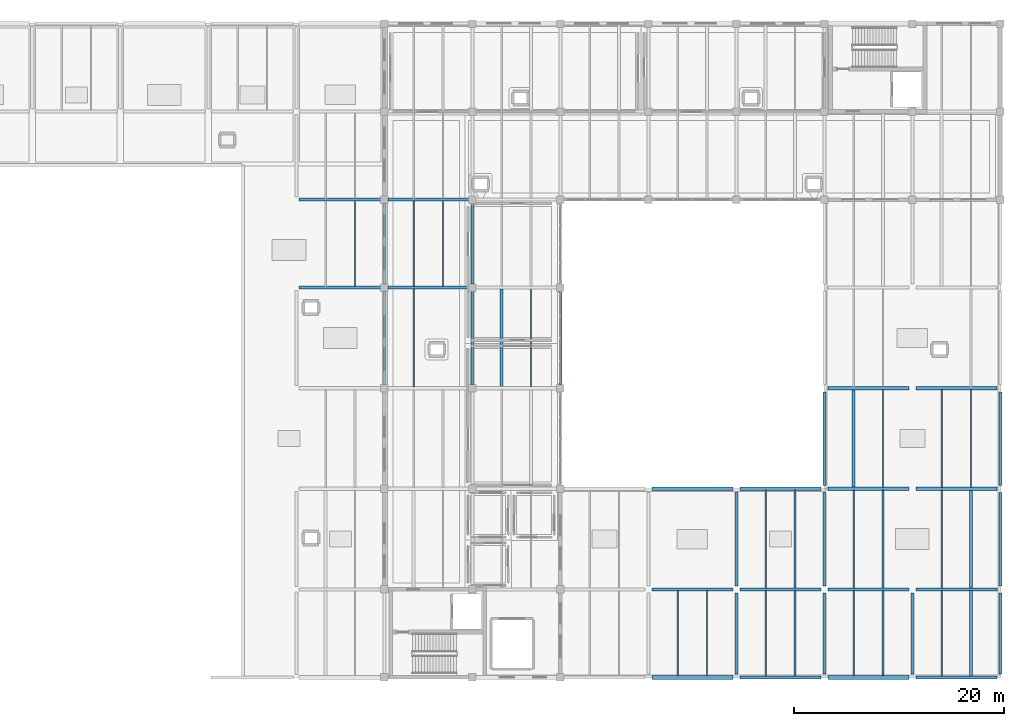
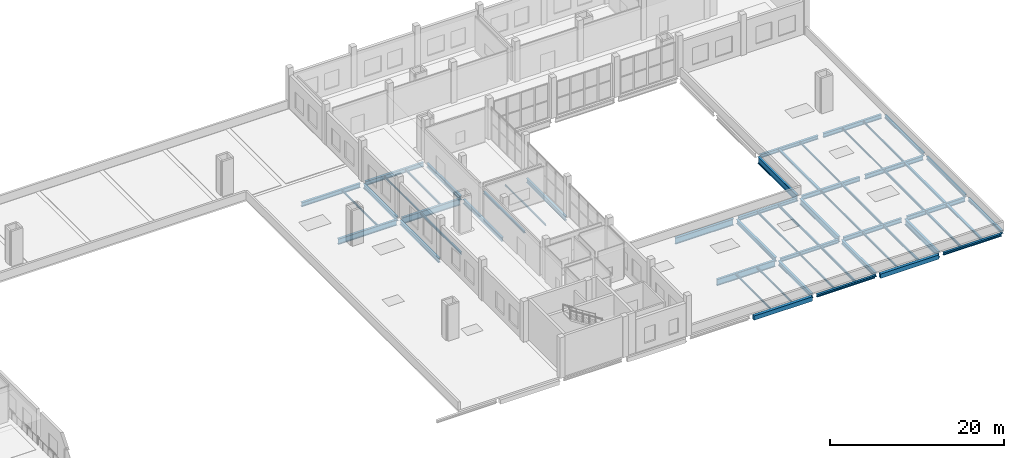
# One storey, part 22 of 49: 56 beams.
"""IFC4 building model written with IfcOpenShell, lengths in metres."""

import ifcopenshell
import ifcopenshell.guid

model = None  # the IFC model being written
_history = None  # IfcOwnerHistory: only IFC2X3 demands one
_inside = {}  # id of a spatial element -> (the spatial element, [elements in it])
_under = {}  # id of a project, library or spatial element -> (it, [spatial elements below it])
_declared = {}  # id of a project -> (the project, [libraries it declares])
_typed = {}  # id of a type object -> (the type object, [elements of that type])
_made_of = {}  # id of a material, layer set ... -> (it, [elements and type objects made of it])


def new_model(schema):
    """Start an empty IFC model of exactly this schema.

    Asked for "IFC4X3", IfcOpenShell would pick the latest addendum, in which some entities
    have other attributes; the version numbers below select the first issue.
    IFC2X3 requires an IfcOwnerHistory on every rooted entity: one is made here for all.
    """
    global model, _history
    if schema == "IFC4X3":
        model = ifcopenshell.file(schema_version=(4, 3, 0, 0))
    else:
        model = ifcopenshell.file(schema=schema)
    _inside.clear()
    _under.clear()
    _declared.clear()
    _typed.clear()
    _made_of.clear()
    _history = None
    if model.schema == "IFC2X3":
        org = make("IfcOrganization", Name="unknown")
        user = make(
            "IfcPersonAndOrganization",
            ThePerson=make("IfcPerson", FamilyName="unknown"),
            TheOrganization=org,
        )
        app = make(
            "IfcApplication",
            ApplicationDeveloper=org,
            Version="unknown",
            ApplicationFullName="unknown",
            ApplicationIdentifier="unknown",
        )
        _history = make(
            "IfcOwnerHistory",
            OwningUser=user,
            OwningApplication=app,
            ChangeAction="ADDED",
            CreationDate=0,
        )
    return model


def make(cls, **values):
    """One entity of the class cls with the attributes given. An attribute that is None is left unset."""
    return model.create_entity(
        cls, **{name: value for name, value in values.items() if value is not None}
    )


def rooted(cls, **values):
    """An entity with a GlobalId (a new one), such as an element, a storey or a relation."""
    return make(cls, GlobalId=ifcopenshell.guid.new(), OwnerHistory=_history, **values)


def si_unit(unit_type, name, prefix=None):
    """IfcSIUnit, for example si_unit("LENGTHUNIT", "METRE", prefix="MILLI")."""
    return make("IfcSIUnit", UnitType=unit_type, Prefix=prefix, Name=name)


def assignment(units):
    """IfcUnitAssignment: the units of a project."""
    return None if units is None else make("IfcUnitAssignment", Units=units)


def point(xyz):
    """IfcCartesianPoint."""
    return None if xyz is None else make("IfcCartesianPoint", Coordinates=xyz)


def direction(xyz):
    """IfcDirection."""
    return None if xyz is None else make("IfcDirection", DirectionRatios=xyz)


def frame(location, z_axis=None, x_axis=None):
    """IfcAxis2Placement3D, a coordinate frame: its origin and axes. An axis left out is left unset."""
    return make(
        "IfcAxis2Placement3D",
        Location=point(location),
        Axis=direction(z_axis),
        RefDirection=direction(x_axis),
    )


def frame_2d(location, x_axis=None):
    """IfcAxis2Placement2D, a coordinate frame in the plane: its origin and x axis."""
    return make(
        "IfcAxis2Placement2D", Location=point(location), RefDirection=direction(x_axis)
    )


def origin():
    """The frame at (0, 0, 0) with its axes left unset."""
    return frame((0.0, 0.0, 0.0))


def origin_2d():
    """The frame at (0, 0) in the plane with its x axis left unset."""
    return frame_2d((0.0, 0.0))


def place(relative_to, where):
    """IfcLocalPlacement: puts the frame where relative to a parent placement (None: the world)."""
    return make(
        "IfcLocalPlacement", PlacementRelTo=relative_to, RelativePlacement=where
    )


def context(
    kind, dimensions, precision=None, world=None, true_north=None, identifier=None
):
    """IfcGeometricRepresentationContext, for example the 3D "Model" context."""
    return make(
        "IfcGeometricRepresentationContext",
        ContextIdentifier=identifier,
        ContextType=kind,
        CoordinateSpaceDimension=dimensions,
        Precision=precision,
        WorldCoordinateSystem=world,
        TrueNorth=true_north,
    )


def subcontext(parent, identifier, kind, view, scale=None):
    """IfcGeometricRepresentationSubContext, for example "Body" below "Model"."""
    return make(
        "IfcGeometricRepresentationSubContext",
        ContextIdentifier=identifier,
        ContextType=kind,
        ParentContext=parent,
        TargetScale=scale,
        TargetView=view,
    )


def project(units=None, contexts=None):
    """IfcProject with its units and contexts."""
    return rooted(
        "IfcProject",
        Name="project",
        RepresentationContexts=contexts,
        UnitsInContext=assignment(units),
    )


def spatial(cls, under=None, at=None, **own):
    """A site, building, storey or space (cls), placed at a placement, below another one or the project."""
    s = rooted(cls, ObjectPlacement=at, **own)
    if under is not None:
        _under.setdefault(under.id(), (under, []))[1].append(s)
    return s


def profile(cls, at=None, kind="AREA", **sizes):
    """A parametric profile (cls). Its sizes go by their IFC names, for example OverallWidth=200.0."""
    return make(cls, ProfileType=kind, Position=at, **sizes)


def rectangle(**sizes):
    """IfcRectangleProfileDef."""
    return profile("IfcRectangleProfileDef", **sizes)


def i_section(**sizes):
    """IfcIShapeProfileDef."""
    return profile("IfcIShapeProfileDef", **sizes)


def extrude(swept, where, along, depth):
    """IfcExtrudedAreaSolid: the profile swept, set in the frame where, extruded along a direction by depth."""
    return make(
        "IfcExtrudedAreaSolid",
        SweptArea=swept,
        Position=where,
        ExtrudedDirection=direction(along),
        Depth=depth,
    )


def shape(context_of_items, identifier, shape_type, items):
    """IfcShapeRepresentation: the items that make up one representation, for example the "Body"."""
    return make(
        "IfcShapeRepresentation",
        ContextOfItems=context_of_items,
        RepresentationIdentifier=identifier,
        RepresentationType=shape_type,
        Items=items,
    )


def material(Name=None, Category=None):
    """IfcMaterial."""
    return make("IfcMaterial", Name=Name, Category=Category)


def material_profile(
    of_material, cross_section, Name=None, Category=None, Priority=None
):
    """IfcMaterialProfile: a cross section and its material."""
    return make(
        "IfcMaterialProfile",
        Name=Name,
        Material=of_material,
        Profile=cross_section,
        Priority=Priority,
        Category=Category,
    )


def profile_set(profiles, Name=None, composite=None):
    """IfcMaterialProfileSet."""
    return make(
        "IfcMaterialProfileSet",
        Name=Name,
        MaterialProfiles=profiles,
        CompositeProfile=composite,
    )


def made_of(thing, what):
    """Note that an element or type object is made of a material, layer set ...; save() writes the relation."""
    if what is not None:
        _made_of.setdefault(what.id(), (what, []))[1].append(thing)
    return thing


def type_object(cls, material=None, **own):
    """A type object (cls), such as IfcWallType, which elements share."""
    return made_of(rooted(cls, **own), material)


def element(
    cls,
    number,
    at=None,
    inside=None,
    cuts=None,
    type_object=None,
    material=None,
    context=None,
    identifier="Body",
    shape_type=None,
    held_by="IfcProductDefinitionShape",
    body=None,
    shapes=None,
    **own,
):
    """One element of the class cls, such as IfcWall. Its Tag is "e" and its number.

    at: its placement. inside: the storey or other place that contains it. cuts: it is an
    opening in that element (IfcRelVoidsElement). A single representation is given by context,
    identifier, shape_type and body (its items); several are given by shapes. held_by: the class
    of the entity that holds the representations. save() writes the other relations.
    """
    e = rooted(cls, Tag="e%d" % number, ObjectPlacement=at, **own)
    if body is not None:
        shapes = [shape(context, identifier, shape_type, body)]
    if shapes is not None:
        e.Representation = make(held_by, Representations=shapes)
    if inside is not None:
        _inside.setdefault(inside.id(), (inside, []))[1].append(e)
    if cuts is not None:
        rooted(
            "IfcRelVoidsElement", RelatingBuildingElement=cuts, RelatedOpeningElement=e
        )
    if type_object is not None:
        _typed.setdefault(type_object.id(), (type_object, []))[1].append(e)
    return made_of(e, material)


def aggregate(whole, parts):
    """IfcRelAggregates: a whole, such as a stair, and the parts it consists of."""
    return rooted("IfcRelAggregates", RelatingObject=whole, RelatedObjects=parts)


def save(model, path):
    """Write the relations noted so far, then the file.

    IfcRelAggregates (storeys below a building ...), IfcRelContainedInSpatialStructure (elements
    in a storey), IfcRelDefinesByType, IfcRelAssociatesMaterial and IfcRelDeclares: one each for
    every whole, place, type object, material and project.
    """
    for whole, parts in _under.values():
        aggregate(whole, parts)
    for where, things in _inside.values():
        rooted(
            "IfcRelContainedInSpatialStructure",
            RelatedElements=things,
            RelatingStructure=where,
        )
    for kind, things in _typed.values():
        rooted("IfcRelDefinesByType", RelatedObjects=things, RelatingType=kind)
    for what, things in _made_of.values():
        rooted("IfcRelAssociatesMaterial", RelatedObjects=things, RelatingMaterial=what)
    for by, libraries in _declared.values():
        rooted("IfcRelDeclares", RelatingContext=by, RelatedDefinitions=libraries)
    model.write(path)


model = new_model("IFC4")

# Units and contexts
model_context = context("Model", 3, precision=1e-05, world=origin(), true_north=direction((0.0, 1.0)))
body_context = subcontext(model_context, "Body", "Model", "MODEL_VIEW")
ifc_project = project(units=[si_unit("LENGTHUNIT", "METRE"), si_unit("AREAUNIT", "SQUARE_METRE"), si_unit("VOLUMEUNIT", "CUBIC_METRE"), si_unit("PLANEANGLEUNIT", "RADIAN"), si_unit("MASSUNIT", "GRAM", prefix="KILO")], contexts=[model_context])

# Site, building, storey
site_placement = place(None, origin())
site = spatial("IfcSite", under=ifc_project, at=site_placement, CompositionType="ELEMENT")
building_placement = place(site_placement, origin())
building = spatial("IfcBuilding", under=site, at=building_placement, Name="Zulmaris Art Gallery", CompositionType="ELEMENT")
storey_placement = place(building_placement, frame((0.0, 0.0, 20.699951171875)))
storey = spatial("IfcBuildingStorey", under=building, at=storey_placement, Name="L04", CompositionType="ELEMENT", Elevation=20.699951171875)

# Beams
ifc_material_1 = material(Name="Steel S355J2", Category="steel")
ifc_material_profile_1 = material_profile(ifc_material_1, i_section(OverallWidth=0.300048828125, OverallDepth=0.489990234375, WebThickness=0.011962890625, FlangeThickness=0.02294921875, FilletRadius=0.027099609375, at=origin_2d()), Name="HEA 500")
ifc_profile_set_1 = profile_set([ifc_material_profile_1], Name="Steel S355J2")
beam_type_1 = type_object("IfcBeamType", Name="BEAM-BM11", PredefinedType="BEAM", material=ifc_profile_set_1)
for number, where, z_axis, x_axis, name in (
    (1, (175.534912109375, 21.60009765625, -0.635009765625), (1.0, 0.0, 0.0), (0.0, 1.0, 0.0), "L04 X-girder (175.2..183.6, y=21.6)"),
    (2, (175.534912109375, 31.199951171875, -0.635009765625), (1.0, 0.0, 0.0), (0.0, 1.0, 0.0), "L04 X-girder (175.2..183.6, y=31.2)"),
    (3, (183.93505859375, 40.800048828125, -0.635009765625), (1.0, 0.0, 0.0), (0.0, 1.0, 0.0), "L04 X-girder (183.6..192.0, y=40.8)"),
):
    element("IfcBeam", number, at=place(storey_placement, frame(where, z_axis=z_axis, x_axis=x_axis)), inside=storey, type_object=beam_type_1, Name=name, PredefinedType="BEAM", context=body_context, shape_type="SweptSolid", body=[
        extrude(i_section(OverallWidth=0.300048828125, OverallDepth=0.489990234375, WebThickness=0.011962890625, FlangeThickness=0.02294921875, FilletRadius=0.027099609375, at=origin_2d()), origin(), (0.0, 0.0, 1.0), 7.72998046875),
    ])
ifc_material_profile_2 = material_profile(ifc_material_1, i_section(OverallWidth=0.300048828125, OverallDepth=0.590087890625, WebThickness=0.012939453125, FlangeThickness=0.02490234375, FilletRadius=0.027099609375, at=origin_2d()), Name="HEA 600")
ifc_profile_set_2 = profile_set([ifc_material_profile_2], Name="Steel S355J2")
beam_type_2 = type_object("IfcBeamType", Name="BEAM-BM12", PredefinedType="BEAM", material=ifc_profile_set_2)
for number, where, z_axis, x_axis, name in (
    (4, (183.93505859375, 21.60009765625, -0.655029296875), (1.0, 0.0, 0.0), (0.0, 1.0, 0.0), "L04 X-girder (183.6..192.0, y=21.6)"),
    (5, (183.93505859375, 31.199951171875, -0.655029296875), (1.0, 0.0, 0.0), (0.0, 1.0, 0.0), "L04 X-girder (183.6..192.0, y=31.2)"),
    (6, (192.3349609375, 40.800048828125, -0.655029296875), (1.0, 0.0, 0.0), (0.0, 1.0, 0.0), "L04 X-girder (192.0..200.4, y=40.8)"),
):
    element("IfcBeam", number, at=place(storey_placement, frame(where, z_axis=z_axis, x_axis=x_axis)), inside=storey, type_object=beam_type_2, Name=name, PredefinedType="BEAM", context=body_context, shape_type="SweptSolid", body=[
        extrude(i_section(OverallWidth=0.300048828125, OverallDepth=0.590087890625, WebThickness=0.012939453125, FlangeThickness=0.02490234375, FilletRadius=0.027099609375, at=origin_2d()), origin(), (0.0, 0.0, 1.0), 7.72998046875),
    ])
beam_1_placement = place(storey_placement, frame((133.4599609375, 58.800048828125, -0.655029296875), z_axis=(1.0, 0.0, 0.0), x_axis=(0.0, 1.0, 0.0)))
element("IfcBeam", 7, at=beam_1_placement, inside=storey, type_object=beam_type_2, Name="L04 X-girder (133.2..141.6, y=58.8)", PredefinedType="BEAM", context=body_context, shape_type="SweptSolid", body=[
    extrude(i_section(OverallWidth=0.300048828125, OverallDepth=0.590087890625, WebThickness=0.012939453125, FlangeThickness=0.02490234375, FilletRadius=0.027099609375, at=origin_2d()), origin(), (0.0, 0.0, 1.0), 7.804931640625),
])
for number, where, z_axis, x_axis, name in (
    (8, (141.93505859375, 58.800048828125, -0.655029296875), (1.0, 0.0, 0.0), (0.0, 1.0, 0.0), "L04 X-girder (141.6..150.0, y=58.8)"),
    (9, (141.60009765625, 50.735107421875, -0.655029296875), (0.0, 1.0, 0.0), (-1.0, 0.0, 0.0), "L04 Y-girder (x=141.6, 50.4..58.8)"),
):
    element("IfcBeam", number, at=place(storey_placement, frame(where, z_axis=z_axis, x_axis=x_axis)), inside=storey, type_object=beam_type_2, Name=name, PredefinedType="BEAM", context=body_context, shape_type="SweptSolid", body=[
        extrude(i_section(OverallWidth=0.300048828125, OverallDepth=0.590087890625, WebThickness=0.012939453125, FlangeThickness=0.02490234375, FilletRadius=0.027099609375, at=origin_2d()), origin(), (0.0, 0.0, 1.0), 7.72998046875),
    ])
beam_2_placement = place(storey_placement, frame((150.0, 41.135009765625, -0.655029296875), z_axis=(0.0, 1.0, 0.0), x_axis=(-1.0, 0.0, 0.0)))
element("IfcBeam", 10, at=beam_2_placement, inside=storey, type_object=beam_type_2, Name="L04 Y-girder (x=150.0, 40.8..50.4)", PredefinedType="BEAM", context=body_context, shape_type="SweptSolid", body=[
    extrude(i_section(OverallWidth=0.300048828125, OverallDepth=0.590087890625, WebThickness=0.012939453125, FlangeThickness=0.02490234375, FilletRadius=0.027099609375, at=origin_2d()), origin(), (0.0, 0.0, 1.0), 8.929931640625),
])
beam_3_placement = place(storey_placement, frame((150.0, 50.735107421875, -0.655029296875), z_axis=(0.0, 1.0, 0.0), x_axis=(-1.0, 0.0, 0.0)))
element("IfcBeam", 11, at=beam_3_placement, inside=storey, type_object=beam_type_2, Name="L04 Y-girder (x=150.0, 50.4..58.8)", PredefinedType="BEAM", context=body_context, shape_type="SweptSolid", body=[
    extrude(i_section(OverallWidth=0.300048828125, OverallDepth=0.590087890625, WebThickness=0.012939453125, FlangeThickness=0.02490234375, FilletRadius=0.027099609375, at=origin_2d()), origin(), (0.0, 0.0, 1.0), 7.72998046875),
])
beam_4_placement = place(storey_placement, frame((158.39990234375, 41.135009765625, -0.655029296875), z_axis=(0.0, 1.0, 0.0), x_axis=(-1.0, 0.0, 0.0)))
element("IfcBeam", 12, at=beam_4_placement, inside=storey, type_object=beam_type_2, Name="L04 Y-girder (x=158.4, 40.8..50.4)", PredefinedType="BEAM", context=body_context, shape_type="SweptSolid", body=[
    extrude(i_section(OverallWidth=0.300048828125, OverallDepth=0.590087890625, WebThickness=0.012939453125, FlangeThickness=0.02490234375, FilletRadius=0.027099609375, at=origin_2d()), origin(), (0.0, 0.0, 1.0), 8.929931640625),
])
beam_5_placement = place(storey_placement, frame((175.199951171875, 13.534912109375, -0.655029296875), z_axis=(0.0, 1.0, 0.0), x_axis=(-1.0, 0.0, 0.0)))
element("IfcBeam", 13, at=beam_5_placement, inside=storey, type_object=beam_type_2, Name="L04 Y-girder (x=175.2, 13.2..21.6)", PredefinedType="BEAM", context=body_context, shape_type="SweptSolid", body=[
    extrude(i_section(OverallWidth=0.300048828125, OverallDepth=0.590087890625, WebThickness=0.012939453125, FlangeThickness=0.02490234375, FilletRadius=0.027099609375, at=origin_2d()), origin(), (0.0, 0.0, 1.0), 7.72998046875),
])
beam_6_placement = place(storey_placement, frame((175.199951171875, 21.93505859375, -0.655029296875), z_axis=(0.0, 1.0, 0.0), x_axis=(-1.0, 0.0, 0.0)))
element("IfcBeam", 14, at=beam_6_placement, inside=storey, type_object=beam_type_2, Name="L04 Y-girder (x=175.2, 21.6..31.2)", PredefinedType="BEAM", context=body_context, shape_type="SweptSolid", body=[
    extrude(i_section(OverallWidth=0.300048828125, OverallDepth=0.590087890625, WebThickness=0.012939453125, FlangeThickness=0.02490234375, FilletRadius=0.027099609375, at=origin_2d()), origin(), (0.0, 0.0, 1.0), 8.929931640625),
])
beam_7_placement = place(storey_placement, frame((183.60009765625, 13.534912109375, -0.655029296875), z_axis=(0.0, 1.0, 0.0), x_axis=(-1.0, 0.0, 0.0)))
element("IfcBeam", 15, at=beam_7_placement, inside=storey, type_object=beam_type_2, Name="L04 Y-girder (x=183.6, 13.2..21.6)", PredefinedType="BEAM", context=body_context, shape_type="SweptSolid", body=[
    extrude(i_section(OverallWidth=0.300048828125, OverallDepth=0.590087890625, WebThickness=0.012939453125, FlangeThickness=0.02490234375, FilletRadius=0.027099609375, at=origin_2d()), origin(), (0.0, 0.0, 1.0), 7.72998046875),
])
ifc_material_profile_3 = material_profile(ifc_material_1, i_section(OverallWidth=0.300048828125, OverallDepth=0.60009765625, WebThickness=0.015380859375, FlangeThickness=0.030029296875, FilletRadius=0.027099609375, at=origin_2d()), Name="HEB 600")
ifc_profile_set_3 = profile_set([ifc_material_profile_3], Name="Steel S355J2")
beam_type_3 = type_object("IfcBeamType", Name="BEAM-BM15", PredefinedType="BEAM", material=ifc_profile_set_3)
for number, where, z_axis, x_axis, name in (
    (16, (192.3349609375, 21.60009765625, -0.659912109375), (1.0, 0.0, 0.0), (0.0, 1.0, 0.0), "L04 X-girder (192.0..200.4, y=21.6)"),
    (17, (192.3349609375, 31.199951171875, -0.659912109375), (1.0, 0.0, 0.0), (0.0, 1.0, 0.0), "L04 X-girder (192.0..200.4, y=31.2)"),
):
    element("IfcBeam", number, at=place(storey_placement, frame(where, z_axis=z_axis, x_axis=x_axis)), inside=storey, type_object=beam_type_3, Name=name, PredefinedType="BEAM", context=body_context, shape_type="SweptSolid", body=[
        extrude(i_section(OverallWidth=0.300048828125, OverallDepth=0.60009765625, WebThickness=0.015380859375, FlangeThickness=0.030029296875, FilletRadius=0.027099609375, at=origin_2d()), origin(), (0.0, 0.0, 1.0), 7.72998046875),
    ])
beam_8_placement = place(storey_placement, frame((141.60009765625, 41.135009765625, -0.659912109375), z_axis=(0.0, 1.0, 0.0), x_axis=(-1.0, 0.0, 0.0)))
element("IfcBeam", 18, at=beam_8_placement, inside=storey, type_object=beam_type_3, Name="L04 Y-girder (x=141.6, 40.8..50.4)", PredefinedType="BEAM", context=body_context, shape_type="SweptSolid", body=[
    extrude(i_section(OverallWidth=0.300048828125, OverallDepth=0.60009765625, WebThickness=0.015380859375, FlangeThickness=0.030029296875, FilletRadius=0.027099609375, at=origin_2d()), origin(), (0.0, 0.0, 1.0), 8.929931640625),
])
ifc_material_profile_4 = material_profile(ifc_material_1, i_section(OverallWidth=0.300048828125, OverallDepth=0.800048828125, WebThickness=0.017578125, FlangeThickness=0.032958984375, FilletRadius=0.030029296875, at=origin_2d()), Name="HEB 800")
ifc_profile_set_4 = profile_set([ifc_material_profile_4], Name="Steel S355J2")
beam_type_4 = type_object("IfcBeamType", Name="BEAM-BM17", PredefinedType="BEAM", material=ifc_profile_set_4)
beam_9_placement = place(storey_placement, frame((133.4599609375, 50.39990234375, -0.760009765625), z_axis=(1.0, 0.0, 0.0), x_axis=(0.0, 1.0, 0.0)))
element("IfcBeam", 19, at=beam_9_placement, inside=storey, type_object=beam_type_4, Name="L04 X-girder (133.2..141.6, y=50.4)", PredefinedType="BEAM", context=body_context, shape_type="SweptSolid", body=[
    extrude(i_section(OverallWidth=0.300048828125, OverallDepth=0.800048828125, WebThickness=0.017578125, FlangeThickness=0.032958984375, FilletRadius=0.030029296875, at=origin_2d()), origin(), (0.0, 0.0, 1.0), 7.804931640625),
])
beam_10_placement = place(storey_placement, frame((183.60009765625, 21.93505859375, -0.760009765625), z_axis=(0.0, 1.0, 0.0), x_axis=(-1.0, 0.0, 0.0)))
element("IfcBeam", 20, at=beam_10_placement, inside=storey, type_object=beam_type_4, Name="L04 Y-girder (x=183.6, 21.6..31.2)", PredefinedType="BEAM", context=body_context, shape_type="SweptSolid", body=[
    extrude(i_section(OverallWidth=0.300048828125, OverallDepth=0.800048828125, WebThickness=0.017578125, FlangeThickness=0.032958984375, FilletRadius=0.030029296875, at=origin_2d()), origin(), (0.0, 0.0, 1.0), 8.929931640625),
])
beam_11_placement = place(storey_placement, frame((192.0, 13.534912109375, -0.760009765625), z_axis=(0.0, 1.0, 0.0), x_axis=(-1.0, 0.0, 0.0)))
element("IfcBeam", 21, at=beam_11_placement, inside=storey, type_object=beam_type_4, Name="L04 Y-girder (x=192.0, 13.2..21.6)", PredefinedType="BEAM", context=body_context, shape_type="SweptSolid", body=[
    extrude(i_section(OverallWidth=0.300048828125, OverallDepth=0.800048828125, WebThickness=0.017578125, FlangeThickness=0.032958984375, FilletRadius=0.030029296875, at=origin_2d()), origin(), (0.0, 0.0, 1.0), 7.72998046875),
])
ifc_material_profile_5 = material_profile(ifc_material_1, i_section(OverallWidth=0.300048828125, OverallDepth=0.89990234375, WebThickness=0.0185546875, FlangeThickness=0.034912109375, FilletRadius=0.030029296875, at=origin_2d()), Name="HEB 900")
ifc_profile_set_5 = profile_set([ifc_material_profile_5], Name="Steel S355J2")
beam_type_5 = type_object("IfcBeamType", Name="BEAM-BM18", PredefinedType="BEAM", material=ifc_profile_set_5)
for number, where, z_axis, x_axis, name in (
    (22, (167.135009765625, 21.60009765625, -0.81005859375), (1.0, 0.0, 0.0), (0.0, 1.0, 0.0), "L04 X-girder (166.8..175.2, y=21.6)"),
    (23, (167.135009765625, 31.199951171875, -0.81005859375), (1.0, 0.0, 0.0), (0.0, 1.0, 0.0), "L04 X-girder (166.8..175.2, y=31.2)"),
    (24, (141.93505859375, 50.39990234375, -0.81005859375), (1.0, 0.0, 0.0), (0.0, 1.0, 0.0), "L04 X-girder (141.6..150.0, y=50.4)"),
):
    element("IfcBeam", number, at=place(storey_placement, frame(where, z_axis=z_axis, x_axis=x_axis)), inside=storey, type_object=beam_type_5, Name=name, PredefinedType="BEAM", context=body_context, shape_type="SweptSolid", body=[
        extrude(i_section(OverallWidth=0.300048828125, OverallDepth=0.89990234375, WebThickness=0.0185546875, FlangeThickness=0.034912109375, FilletRadius=0.030029296875, at=origin_2d()), origin(), (0.0, 0.0, 1.0), 7.72998046875),
    ])
beam_12_placement = place(storey_placement, frame((183.60009765625, 31.534912109375, -0.81005859375), z_axis=(0.0, 1.0, 0.0), x_axis=(-1.0, 0.0, 0.0)))
element("IfcBeam", 25, at=beam_12_placement, inside=storey, type_object=beam_type_5, Name="L04 Y-girder (x=183.6, 31.2..40.8)", PredefinedType="BEAM", context=body_context, shape_type="SweptSolid", body=[
    extrude(i_section(OverallWidth=0.300048828125, OverallDepth=0.89990234375, WebThickness=0.0185546875, FlangeThickness=0.034912109375, FilletRadius=0.030029296875, at=origin_2d()), origin(), (0.0, 0.0, 1.0), 8.93017578125),
])
ifc_material_profile_6 = material_profile(ifc_material_1, i_section(OverallWidth=0.1201171875, OverallDepth=0.239990234375, WebThickness=0.006103515625, FlangeThickness=0.009765625, FilletRadius=0.014892578125, at=origin_2d()), Name="IPE 240")
ifc_profile_set_6 = profile_set([ifc_material_profile_6], Name="Steel S355J2")
beam_type_6 = type_object("IfcBeamType", Name="BEAM-JS01", PredefinedType="JOIST", material=ifc_profile_set_6)
beam_13_placement = place(storey_placement, frame((144.39990234375, 50.52490234375, -0.47998046875), z_axis=(0.0, 1.0, 0.0), x_axis=(-1.0, 0.0, 0.0)))
element("IfcBeam", 26, at=beam_13_placement, inside=storey, type_object=beam_type_6, Name="L04 secondary joist at x=144.4", PredefinedType="JOIST", context=body_context, shape_type="SweptSolid", body=[
    extrude(i_section(OverallWidth=0.1201171875, OverallDepth=0.239990234375, WebThickness=0.006103515625, FlangeThickness=0.009765625, FilletRadius=0.014892578125, at=origin_2d()), origin(), (0.0, 0.0, 1.0), 8.150146484375),
])
beam_14_placement = place(storey_placement, frame((155.60009765625, 40.925048828125, -0.47998046875), z_axis=(0.0, 1.0, 0.0), x_axis=(-1.0, 0.0, 0.0)))
element("IfcBeam", 27, at=beam_14_placement, inside=storey, type_object=beam_type_6, Name="L04 secondary joist at x=155.6", PredefinedType="JOIST", context=body_context, shape_type="SweptSolid", body=[
    extrude(i_section(OverallWidth=0.1201171875, OverallDepth=0.239990234375, WebThickness=0.006103515625, FlangeThickness=0.009765625, FilletRadius=0.014892578125, at=origin_2d()), origin(), (0.0, 0.0, 1.0), 9.349853515625),
])
beam_15_placement = place(storey_placement, frame((169.60009765625, 13.375, -0.47998046875), z_axis=(0.0, 1.0, 0.0), x_axis=(-1.0, 0.0, 0.0)))
element("IfcBeam", 28, at=beam_15_placement, inside=storey, type_object=beam_type_6, Name="L04 secondary joist at x=169.6", PredefinedType="JOIST", context=body_context, shape_type="SweptSolid", body=[
    extrude(i_section(OverallWidth=0.1201171875, OverallDepth=0.239990234375, WebThickness=0.006103515625, FlangeThickness=0.009765625, FilletRadius=0.014892578125, at=origin_2d()), origin(), (0.0, 0.0, 1.0), 8.10009765625),
])
for number, where, z_axis, x_axis, name in (
    (29, (189.199951171875, 31.324951171875, -0.47998046875), (0.0, 1.0, 0.0), (-1.0, 0.0, 0.0), "L04 secondary joist at x=189.2"),
    (30, (194.800048828125, 31.324951171875, -0.47998046875), (0.0, 1.0, 0.0), (-1.0, 0.0, 0.0), "L04 secondary joist at x=194.8"),
):
    element("IfcBeam", number, at=place(storey_placement, frame(where, z_axis=z_axis, x_axis=x_axis)), inside=storey, type_object=beam_type_6, Name=name, PredefinedType="JOIST", context=body_context, shape_type="SweptSolid", body=[
        extrude(i_section(OverallWidth=0.1201171875, OverallDepth=0.239990234375, WebThickness=0.006103515625, FlangeThickness=0.009765625, FilletRadius=0.014892578125, at=origin_2d()), origin(), (0.0, 0.0, 1.0), 9.35009765625),
    ])
ifc_material_profile_7 = material_profile(ifc_material_1, i_section(OverallWidth=0.135009765625, OverallDepth=0.27001953125, WebThickness=0.006591796875, FlangeThickness=0.01025390625, FilletRadius=0.014892578125, at=origin_2d()), Name="IPE 270")
ifc_profile_set_7 = profile_set([ifc_material_profile_7], Name="Steel S355J2")
beam_type_7 = type_object("IfcBeamType", Name="BEAM-JS02", PredefinedType="JOIST", material=ifc_profile_set_7)
for number, where, z_axis, x_axis, name in (
    (31, (138.800048828125, 50.52490234375, -0.494873046875), (0.0, 1.0, 0.0), (-1.0, 0.0, 0.0), "L04 secondary joist at x=138.8"),
    (32, (147.199951171875, 50.52490234375, -0.494873046875), (0.0, 1.0, 0.0), (-1.0, 0.0, 0.0), "L04 secondary joist at x=147.2"),
):
    element("IfcBeam", number, at=place(storey_placement, frame(where, z_axis=z_axis, x_axis=x_axis)), inside=storey, type_object=beam_type_7, Name=name, PredefinedType="JOIST", context=body_context, shape_type="SweptSolid", body=[
        extrude(i_section(OverallWidth=0.135009765625, OverallDepth=0.27001953125, WebThickness=0.006591796875, FlangeThickness=0.01025390625, FilletRadius=0.014892578125, at=origin_2d()), origin(), (0.0, 0.0, 1.0), 8.150146484375),
    ])
beam_16_placement = place(storey_placement, frame((172.39990234375, 13.375, -0.494873046875), z_axis=(0.0, 1.0, 0.0), x_axis=(-1.0, 0.0, 0.0)))
element("IfcBeam", 33, at=beam_16_placement, inside=storey, type_object=beam_type_7, Name="L04 secondary joist at x=172.4", PredefinedType="JOIST", context=body_context, shape_type="SweptSolid", body=[
    extrude(i_section(OverallWidth=0.135009765625, OverallDepth=0.27001953125, WebThickness=0.006591796875, FlangeThickness=0.01025390625, FilletRadius=0.014892578125, at=origin_2d()), origin(), (0.0, 0.0, 1.0), 8.10009765625),
])
beam_17_placement = place(storey_placement, frame((178.0, 13.324951171875, -0.494873046875), z_axis=(0.0, 1.0, 0.0), x_axis=(-1.0, 0.0, 0.0)))
element("IfcBeam", 34, at=beam_17_placement, inside=storey, type_object=beam_type_7, Name="L04 secondary joist at x=178.0", PredefinedType="JOIST", context=body_context, shape_type="SweptSolid", body=[
    extrude(i_section(OverallWidth=0.135009765625, OverallDepth=0.27001953125, WebThickness=0.006591796875, FlangeThickness=0.01025390625, FilletRadius=0.014892578125, at=origin_2d()), origin(), (0.0, 0.0, 1.0), 8.150146484375),
])
beam_18_placement = place(storey_placement, frame((178.0, 21.72509765625, -0.494873046875), z_axis=(0.0, 1.0, 0.0), x_axis=(-1.0, 0.0, 0.0)))
element("IfcBeam", 35, at=beam_18_placement, inside=storey, type_object=beam_type_7, Name="L04 secondary joist at x=178.0", PredefinedType="JOIST", context=body_context, shape_type="SweptSolid", body=[
    extrude(i_section(OverallWidth=0.135009765625, OverallDepth=0.27001953125, WebThickness=0.006591796875, FlangeThickness=0.01025390625, FilletRadius=0.014892578125, at=origin_2d()), origin(), (0.0, 0.0, 1.0), 9.349853515625),
])
beam_19_placement = place(storey_placement, frame((186.39990234375, 13.375, -0.494873046875), z_axis=(0.0, 1.0, 0.0), x_axis=(-1.0, 0.0, 0.0)))
element("IfcBeam", 36, at=beam_19_placement, inside=storey, type_object=beam_type_7, Name="L04 secondary joist at x=186.4", PredefinedType="JOIST", context=body_context, shape_type="SweptSolid", body=[
    extrude(i_section(OverallWidth=0.135009765625, OverallDepth=0.27001953125, WebThickness=0.006591796875, FlangeThickness=0.01025390625, FilletRadius=0.014892578125, at=origin_2d()), origin(), (0.0, 0.0, 1.0), 8.10009765625),
])
beam_20_placement = place(storey_placement, frame((186.39990234375, 21.72509765625, -0.494873046875), z_axis=(0.0, 1.0, 0.0), x_axis=(-1.0, 0.0, 0.0)))
element("IfcBeam", 37, at=beam_20_placement, inside=storey, type_object=beam_type_7, Name="L04 secondary joist at x=186.4", PredefinedType="JOIST", context=body_context, shape_type="SweptSolid", body=[
    extrude(i_section(OverallWidth=0.135009765625, OverallDepth=0.27001953125, WebThickness=0.006591796875, FlangeThickness=0.01025390625, FilletRadius=0.014892578125, at=origin_2d()), origin(), (0.0, 0.0, 1.0), 9.349853515625),
])
beam_21_placement = place(storey_placement, frame((197.60009765625, 31.324951171875, -0.494873046875), z_axis=(0.0, 1.0, 0.0), x_axis=(-1.0, 0.0, 0.0)))
element("IfcBeam", 38, at=beam_21_placement, inside=storey, type_object=beam_type_7, Name="L04 secondary joist at x=197.6", PredefinedType="JOIST", context=body_context, shape_type="SweptSolid", body=[
    extrude(i_section(OverallWidth=0.135009765625, OverallDepth=0.27001953125, WebThickness=0.006591796875, FlangeThickness=0.01025390625, FilletRadius=0.014892578125, at=origin_2d()), origin(), (0.0, 0.0, 1.0), 9.35009765625),
])
ifc_material_profile_8 = material_profile(ifc_material_1, i_section(OverallWidth=0.159912109375, OverallDepth=0.330078125, WebThickness=0.007568359375, FlangeThickness=0.011474609375, FilletRadius=0.01806640625, at=origin_2d()), Name="IPE 330")
ifc_profile_set_8 = profile_set([ifc_material_profile_8], Name="Steel S355J2")
beam_type_8 = type_object("IfcBeamType", Name="BEAM-JS03", PredefinedType="JOIST", material=ifc_profile_set_8)
beam_22_placement = place(storey_placement, frame((144.39990234375, 40.925048828125, -0.52490234375), z_axis=(0.0, 1.0, 0.0), x_axis=(-1.0, 0.0, 0.0)))
element("IfcBeam", 39, at=beam_22_placement, inside=storey, type_object=beam_type_8, Name="L04 secondary joist at x=144.4", PredefinedType="JOIST", context=body_context, shape_type="SweptSolid", body=[
    extrude(i_section(OverallWidth=0.159912109375, OverallDepth=0.330078125, WebThickness=0.007568359375, FlangeThickness=0.011474609375, FilletRadius=0.01806640625, at=origin_2d()), origin(), (0.0, 0.0, 1.0), 9.349853515625),
])
beam_23_placement = place(storey_placement, frame((180.800048828125, 13.324951171875, -0.52490234375), z_axis=(0.0, 1.0, 0.0), x_axis=(-1.0, 0.0, 0.0)))
element("IfcBeam", 40, at=beam_23_placement, inside=storey, type_object=beam_type_8, Name="L04 secondary joist at x=180.8", PredefinedType="JOIST", context=body_context, shape_type="SweptSolid", body=[
    extrude(i_section(OverallWidth=0.159912109375, OverallDepth=0.330078125, WebThickness=0.007568359375, FlangeThickness=0.011474609375, FilletRadius=0.01806640625, at=origin_2d()), origin(), (0.0, 0.0, 1.0), 8.150146484375),
])
beam_24_placement = place(storey_placement, frame((180.800048828125, 21.72509765625, -0.52490234375), z_axis=(0.0, 1.0, 0.0), x_axis=(-1.0, 0.0, 0.0)))
element("IfcBeam", 41, at=beam_24_placement, inside=storey, type_object=beam_type_8, Name="L04 secondary joist at x=180.8", PredefinedType="JOIST", context=body_context, shape_type="SweptSolid", body=[
    extrude(i_section(OverallWidth=0.159912109375, OverallDepth=0.330078125, WebThickness=0.007568359375, FlangeThickness=0.011474609375, FilletRadius=0.01806640625, at=origin_2d()), origin(), (0.0, 0.0, 1.0), 9.349853515625),
])
beam_25_placement = place(storey_placement, frame((189.199951171875, 13.375, -0.52490234375), z_axis=(0.0, 1.0, 0.0), x_axis=(-1.0, 0.0, 0.0)))
element("IfcBeam", 42, at=beam_25_placement, inside=storey, type_object=beam_type_8, Name="L04 secondary joist at x=189.2", PredefinedType="JOIST", context=body_context, shape_type="SweptSolid", body=[
    extrude(i_section(OverallWidth=0.159912109375, OverallDepth=0.330078125, WebThickness=0.007568359375, FlangeThickness=0.011474609375, FilletRadius=0.01806640625, at=origin_2d()), origin(), (0.0, 0.0, 1.0), 8.10009765625),
])
beam_26_placement = place(storey_placement, frame((189.199951171875, 21.72509765625, -0.52490234375), z_axis=(0.0, 1.0, 0.0), x_axis=(-1.0, 0.0, 0.0)))
element("IfcBeam", 43, at=beam_26_placement, inside=storey, type_object=beam_type_8, Name="L04 secondary joist at x=189.2", PredefinedType="JOIST", context=body_context, shape_type="SweptSolid", body=[
    extrude(i_section(OverallWidth=0.159912109375, OverallDepth=0.330078125, WebThickness=0.007568359375, FlangeThickness=0.011474609375, FilletRadius=0.01806640625, at=origin_2d()), origin(), (0.0, 0.0, 1.0), 9.349853515625),
])
beam_27_placement = place(storey_placement, frame((194.800048828125, 13.324951171875, -0.52490234375), z_axis=(0.0, 1.0, 0.0), x_axis=(-1.0, 0.0, 0.0)))
element("IfcBeam", 44, at=beam_27_placement, inside=storey, type_object=beam_type_8, Name="L04 secondary joist at x=194.8", PredefinedType="JOIST", context=body_context, shape_type="SweptSolid", body=[
    extrude(i_section(OverallWidth=0.159912109375, OverallDepth=0.330078125, WebThickness=0.007568359375, FlangeThickness=0.011474609375, FilletRadius=0.01806640625, at=origin_2d()), origin(), (0.0, 0.0, 1.0), 8.150146484375),
])
beam_28_placement = place(storey_placement, frame((194.800048828125, 21.72509765625, -0.52490234375), z_axis=(0.0, 1.0, 0.0), x_axis=(-1.0, 0.0, 0.0)))
element("IfcBeam", 45, at=beam_28_placement, inside=storey, type_object=beam_type_8, Name="L04 secondary joist at x=194.8", PredefinedType="JOIST", context=body_context, shape_type="SweptSolid", body=[
    extrude(i_section(OverallWidth=0.159912109375, OverallDepth=0.330078125, WebThickness=0.007568359375, FlangeThickness=0.011474609375, FilletRadius=0.01806640625, at=origin_2d()), origin(), (0.0, 0.0, 1.0), 9.349853515625),
])
ifc_material_profile_9 = material_profile(ifc_material_1, i_section(OverallWidth=0.280029296875, OverallDepth=0.27001953125, WebThickness=0.008056640625, FlangeThickness=0.012939453125, FilletRadius=0.02392578125, at=origin_2d()), Name="HEA 280")
ifc_profile_set_9 = profile_set([ifc_material_profile_9], Name="Steel S355J2")
beam_type_9 = type_object("IfcBeamType", Name="BEAM-JS04", PredefinedType="JOIST", material=ifc_profile_set_9)
beam_29_placement = place(storey_placement, frame((152.800048828125, 40.925048828125, -0.494873046875), z_axis=(0.0, 1.0, 0.0), x_axis=(-1.0, 0.0, 0.0)))
element("IfcBeam", 46, at=beam_29_placement, inside=storey, type_object=beam_type_9, Name="L04 secondary joist at x=152.8", PredefinedType="JOIST", context=body_context, shape_type="SweptSolid", body=[
    extrude(i_section(OverallWidth=0.280029296875, OverallDepth=0.27001953125, WebThickness=0.008056640625, FlangeThickness=0.012939453125, FilletRadius=0.02392578125, at=origin_2d()), origin(), (0.0, 0.0, 1.0), 9.349853515625),
])
beam_30_placement = place(storey_placement, frame((186.39990234375, 31.324951171875, -0.494873046875), z_axis=(0.0, 1.0, 0.0), x_axis=(-1.0, 0.0, 0.0)))
element("IfcBeam", 47, at=beam_30_placement, inside=storey, type_object=beam_type_9, Name="L04 secondary joist at x=186.4", PredefinedType="JOIST", context=body_context, shape_type="SweptSolid", body=[
    extrude(i_section(OverallWidth=0.280029296875, OverallDepth=0.27001953125, WebThickness=0.008056640625, FlangeThickness=0.012939453125, FilletRadius=0.02392578125, at=origin_2d()), origin(), (0.0, 0.0, 1.0), 9.35009765625),
])
beam_31_placement = place(storey_placement, frame((197.60009765625, 13.324951171875, -0.494873046875), z_axis=(0.0, 1.0, 0.0), x_axis=(-1.0, 0.0, 0.0)))
element("IfcBeam", 48, at=beam_31_placement, inside=storey, type_object=beam_type_9, Name="L04 secondary joist at x=197.6", PredefinedType="JOIST", context=body_context, shape_type="SweptSolid", body=[
    extrude(i_section(OverallWidth=0.280029296875, OverallDepth=0.27001953125, WebThickness=0.008056640625, FlangeThickness=0.012939453125, FilletRadius=0.02392578125, at=origin_2d()), origin(), (0.0, 0.0, 1.0), 8.150146484375),
])
beam_32_placement = place(storey_placement, frame((197.60009765625, 21.72509765625, -0.494873046875), z_axis=(0.0, 1.0, 0.0), x_axis=(-1.0, 0.0, 0.0)))
element("IfcBeam", 49, at=beam_32_placement, inside=storey, type_object=beam_type_9, Name="L04 secondary joist at x=197.6", PredefinedType="JOIST", context=body_context, shape_type="SweptSolid", body=[
    extrude(i_section(OverallWidth=0.280029296875, OverallDepth=0.27001953125, WebThickness=0.008056640625, FlangeThickness=0.012939453125, FilletRadius=0.02392578125, at=origin_2d()), origin(), (0.0, 0.0, 1.0), 9.349853515625),
])
ifc_material_profile_10 = material_profile(ifc_material_1, i_section(OverallWidth=0.300048828125, OverallDepth=0.35009765625, WebThickness=0.010009765625, FlangeThickness=0.017578125, FilletRadius=0.027099609375, at=origin_2d()), Name="HEA 360")
ifc_profile_set_10 = profile_set([ifc_material_profile_10], Name="Steel S355J2")
beam_type_10 = type_object("IfcBeamType", Name="BEAM-SP01", PredefinedType="SPANDREL", material=ifc_profile_set_10)
for number, where, z_axis, x_axis, name in (
    (50, (175.534912109375, 13.199951171875, -0.534912109375), (1.0, 0.0, 0.0), (0.0, 1.0, 0.0), "L04 X-girder (175.2..183.6, y=13.2)"),
    (51, (192.3349609375, 13.199951171875, -0.534912109375), (1.0, 0.0, 0.0), (0.0, 1.0, 0.0), "L04 X-girder (192.0..200.4, y=13.2)"),
):
    element("IfcBeam", number, at=place(storey_placement, frame(where, z_axis=z_axis, x_axis=x_axis)), inside=storey, type_object=beam_type_10, Name=name, PredefinedType="SPANDREL", context=body_context, shape_type="SweptSolid", body=[
        extrude(i_section(OverallWidth=0.300048828125, OverallDepth=0.35009765625, WebThickness=0.010009765625, FlangeThickness=0.017578125, FilletRadius=0.027099609375, at=origin_2d()), origin(), (0.0, 0.0, 1.0), 7.72998046875),
    ])
ifc_material_profile_11 = material_profile(ifc_material_1, i_section(OverallWidth=0.300048828125, OverallDepth=0.39990234375, WebThickness=0.013427734375, FlangeThickness=0.02392578125, FilletRadius=0.027099609375, at=origin_2d()), Name="HEB 400")
ifc_profile_set_11 = profile_set([ifc_material_profile_11], Name="Steel S355J2")
beam_type_11 = type_object("IfcBeamType", Name="BEAM-SP02", PredefinedType="SPANDREL", material=ifc_profile_set_11)
beam_33_placement = place(storey_placement, frame((200.39990234375, 13.534912109375, -0.56005859375), z_axis=(0.0, 1.0, 0.0), x_axis=(-1.0, 0.0, 0.0)))
element("IfcBeam", 52, at=beam_33_placement, inside=storey, type_object=beam_type_11, Name="L04 Y-girder (x=200.4, 13.2..21.6)", PredefinedType="SPANDREL", context=body_context, shape_type="SweptSolid", body=[
    extrude(i_section(OverallWidth=0.300048828125, OverallDepth=0.39990234375, WebThickness=0.013427734375, FlangeThickness=0.02392578125, FilletRadius=0.027099609375, at=origin_2d()), origin(), (0.0, 0.0, 1.0), 7.72998046875),
])
beam_34_placement = place(storey_placement, frame((200.39990234375, 21.93505859375, -0.56005859375), z_axis=(0.0, 1.0, 0.0), x_axis=(-1.0, 0.0, 0.0)))
element("IfcBeam", 53, at=beam_34_placement, inside=storey, type_object=beam_type_11, Name="L04 Y-girder (x=200.4, 21.6..31.2)", PredefinedType="SPANDREL", context=body_context, shape_type="SweptSolid", body=[
    extrude(i_section(OverallWidth=0.300048828125, OverallDepth=0.39990234375, WebThickness=0.013427734375, FlangeThickness=0.02392578125, FilletRadius=0.027099609375, at=origin_2d()), origin(), (0.0, 0.0, 1.0), 8.929931640625),
])
beam_35_placement = place(storey_placement, frame((200.39990234375, 31.534912109375, -0.56005859375), z_axis=(0.0, 1.0, 0.0), x_axis=(-1.0, 0.0, 0.0)))
element("IfcBeam", 54, at=beam_35_placement, inside=storey, type_object=beam_type_11, Name="L04 Y-girder (x=200.4, 31.2..40.8)", PredefinedType="SPANDREL", context=body_context, shape_type="SweptSolid", body=[
    extrude(i_section(OverallWidth=0.300048828125, OverallDepth=0.39990234375, WebThickness=0.013427734375, FlangeThickness=0.02392578125, FilletRadius=0.027099609375, at=origin_2d()), origin(), (0.0, 0.0, 1.0), 8.93017578125),
])
ifc_material_2 = material(Name="Concrete C40/50", Category="concrete")
ifc_material_profile_12 = material_profile(ifc_material_2, rectangle(XDim=0.39990234375, YDim=0.60009765625, at=origin_2d()), Name="RC 400x600")
ifc_profile_set_12 = profile_set([ifc_material_profile_12], Name="Concrete C40/50")
beam_type_12 = type_object("IfcBeamType", Name="BEAM-SP03", PredefinedType="SPANDREL", material=ifc_profile_set_12)
for number, where, z_axis, x_axis, name in (
    (55, (167.135009765625, 13.199951171875, -0.659912109375), (1.0, 0.0, 0.0), (0.0, 1.0, 0.0), "L04 X-girder (166.8..175.2, y=13.2)"),
    (56, (183.93505859375, 13.199951171875, -0.659912109375), (1.0, 0.0, 0.0), (0.0, 1.0, 0.0), "L04 X-girder (183.6..192.0, y=13.2)"),
):
    element("IfcBeam", number, at=place(storey_placement, frame(where, z_axis=z_axis, x_axis=x_axis)), inside=storey, type_object=beam_type_12, Name=name, PredefinedType="SPANDREL", context=body_context, shape_type="SweptSolid", body=[
        extrude(rectangle(XDim=0.39990234375, YDim=0.60009765625, at=origin_2d()), origin(), (0.0, 0.0, 1.0), 7.72998046875),
    ])

save(model, "model.ifc")
